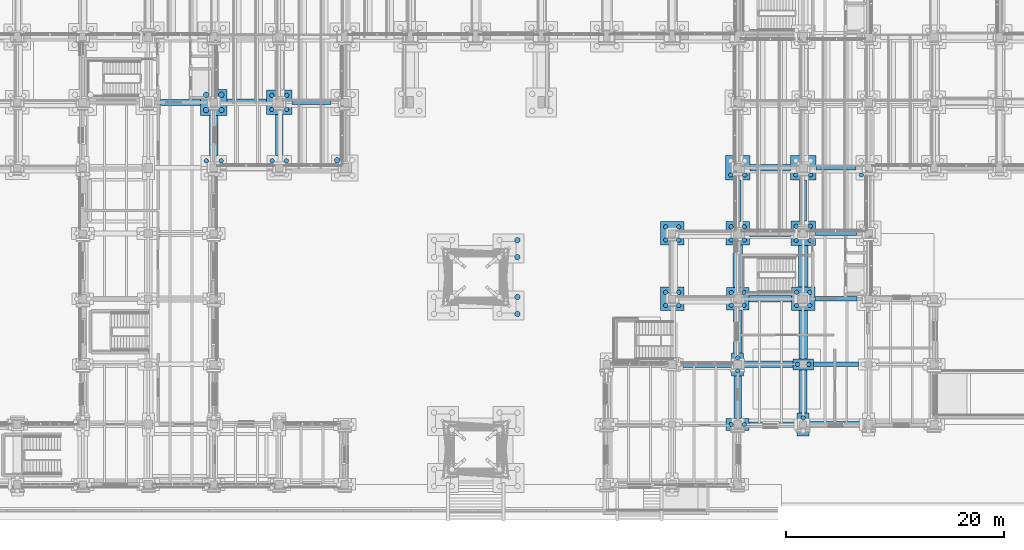
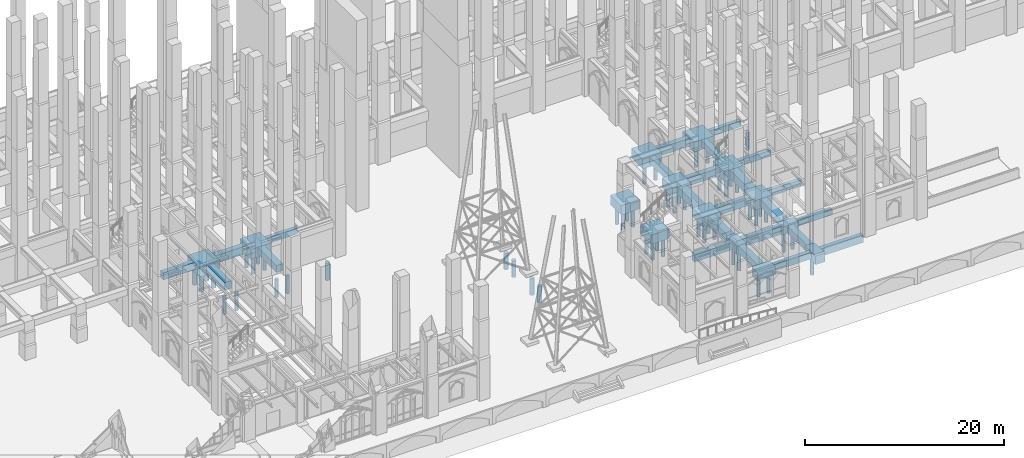
# One storey, part 8 of 135: 53 piles, 38 footings.
"""IFC4 building model written with IfcOpenShell, lengths in metres."""

from ifc_helpers import new_model, si_unit, direction, frame, origin, origin_2d, place, context, subcontext, project, spatial, polyline, rectangle, circle, outline, extrude, material, material_profile, profile_set, type_object, element, save


model = new_model("IFC4")

# Units and contexts
model_context = context("Model", 3, precision=1e-05, world=origin(), true_north=direction((0.0, 1.0)))
body_context = subcontext(model_context, "Body", "Model", "MODEL_VIEW")
ifc_project = project(units=[si_unit("LENGTHUNIT", "METRE"), si_unit("AREAUNIT", "SQUARE_METRE"), si_unit("VOLUMEUNIT", "CUBIC_METRE"), si_unit("PLANEANGLEUNIT", "RADIAN"), si_unit("MASSUNIT", "GRAM", prefix="KILO")], contexts=[model_context])

# Site, building, storey
site_placement = place(None, origin())
site = spatial("IfcSite", under=ifc_project, at=site_placement, CompositionType="ELEMENT")
building_placement = place(site_placement, origin())
building = spatial("IfcBuilding", under=site, at=building_placement, Name="Cumevento Cable Car Station", CompositionType="ELEMENT")
storey_placement = place(building_placement, origin())
storey = spatial("IfcBuildingStorey", under=building, at=storey_placement, Name="L01", CompositionType="ELEMENT", Elevation=0.0)

# Footings
ifc_material_1 = material(Name="Concrete C40/50", Category="concrete")
footing_type_1 = type_object("IfcFootingType", Name="Ground Beam GB-01 420x720", PredefinedType="FOOTING_BEAM", material=ifc_material_1)
footing_1_placement = place(storey_placement, frame((0.0, 0.0, -0.719970703125)))
element("IfcFooting", 1, at=footing_1_placement, inside=storey, type_object=footing_type_1, Name="Ground Tie Beam GB-01 #40", PredefinedType="FOOTING_BEAM", context=body_context, shape_type="SweptSolid", body=[
    extrude(outline(polyline([(124.951904296875, 14.7900390625), (129.048095703125, 14.7900390625), (129.048095703125, 15.2099609375), (124.951904296875, 15.2099609375), (124.951904296875, 14.7900390625)])), origin(), (0.0, 0.0, 1.0), 0.719970703125),
])
footing_2_placement = place(storey_placement, frame((0.0, 0.0, -0.719970703125)))
element("IfcFooting", 2, at=footing_2_placement, inside=storey, type_object=footing_type_1, Name="Ground Tie Beam GB-01 #48", PredefinedType="FOOTING_BEAM", context=body_context, shape_type="SweptSolid", body=[
    extrude(outline(polyline([(125.076904296875, 20.7900390625), (128.923095703125, 20.7900390625), (128.923095703125, 21.2099609375), (125.076904296875, 21.2099609375), (125.076904296875, 20.7900390625)])), origin(), (0.0, 0.0, 1.0), 0.719970703125),
])
footing_3_placement = place(storey_placement, frame((0.0, 0.0, -0.719970703125)))
element("IfcFooting", 3, at=footing_3_placement, inside=storey, type_object=footing_type_1, Name="Ground Tie Beam GB-01 #56", PredefinedType="FOOTING_BEAM", context=body_context, shape_type="SweptSolid", body=[
    extrude(outline(polyline([(125.126953125, 26.7900390625), (128.873046875, 26.7900390625), (128.873046875, 27.2099609375), (125.126953125, 27.2099609375), (125.126953125, 26.7900390625)])), origin(), (0.0, 0.0, 1.0), 0.719970703125),
])
footing_4_placement = place(storey_placement, frame((0.0, 0.0, -0.719970703125)))
element("IfcFooting", 4, at=footing_4_placement, inside=storey, type_object=footing_type_1, Name="Ground Tie Beam GB-01 #64", PredefinedType="FOOTING_BEAM", context=body_context, shape_type="SweptSolid", body=[
    extrude(outline(polyline([(125.177001953125, 32.7900390625), (128.822998046875, 32.7900390625), (128.822998046875, 33.2099609375), (125.177001953125, 33.2099609375), (125.177001953125, 32.7900390625)])), origin(), (0.0, 0.0, 1.0), 0.719970703125),
])
footing_5_placement = place(storey_placement, frame((0.0, 0.0, -0.719970703125)))
element("IfcFooting", 5, at=footing_5_placement, inside=storey, type_object=footing_type_1, Name="Ground Tie Beam GB-01 #76", PredefinedType="FOOTING_BEAM", context=body_context, shape_type="SweptSolid", body=[
    extrude(outline(polyline([(77.177001953125, 38.7900390625), (80.748046875, 38.7900390625), (80.748046875, 39.2099609375), (77.177001953125, 39.2099609375), (77.177001953125, 38.7900390625)])), origin(), (0.0, 0.0, 1.0), 0.719970703125),
])
ifc_material_2 = material(Name="Concrete C40/50", Category="concrete")
footing_type_2 = type_object("IfcFootingType", Name="Ground Beam GB-02 480x800", PredefinedType="FOOTING_BEAM", material=ifc_material_2)
footing_6_placement = place(storey_placement, frame((0.0, 0.0, -0.800048828125)))
element("IfcFooting", 6, at=footing_6_placement, inside=storey, type_object=footing_type_2, Name="Ground Tie Beam GB-02 #25", PredefinedType="FOOTING_BEAM", context=body_context, shape_type="SweptSolid", body=[
    extrude(outline(polyline([(119.052001953125, 9.260009765625), (123.447998046875, 9.260009765625), (123.447998046875, 9.739990234375), (119.052001953125, 9.739990234375), (119.052001953125, 9.260009765625)])), origin(), (0.0, 0.0, 1.0), 0.800048828125),
])
ifc_material_3 = material(Name="Concrete C40/50", Category="concrete")
footing_type_3 = type_object("IfcFootingType", Name="Ground Beam GB-03 540x880", PredefinedType="FOOTING_BEAM", material=ifc_material_3)
footing_7_placement = place(storey_placement, frame((0.0, 0.0, -0.8798828125)))
element("IfcFooting", 7, at=footing_7_placement, inside=storey, type_object=footing_type_3, Name="Ground Tie Beam GB-03 #26", PredefinedType="FOOTING_BEAM", context=body_context, shape_type="SweptSolid", body=[
    extrude(outline(polyline([(124.552001953125, 9.22998046875), (129.447998046875, 9.22998046875), (129.447998046875, 9.77001953125), (124.552001953125, 9.77001953125), (124.552001953125, 9.22998046875)])), origin(), (0.0, 0.0, 1.0), 0.8798828125),
])
footing_8_placement = place(storey_placement, frame((0.0, 0.0, -0.8798828125)))
element("IfcFooting", 8, at=footing_8_placement, inside=storey, type_object=footing_type_3, Name="Ground Tie Beam GB-03 #38", PredefinedType="FOOTING_BEAM", context=body_context, shape_type="SweptSolid", body=[
    extrude(outline(polyline([(113.001953125, 14.72998046875), (117.447998046875, 14.72998046875), (117.447998046875, 15.27001953125), (113.001953125, 15.27001953125), (113.001953125, 14.72998046875)])), origin(), (0.0, 0.0, 1.0), 0.8798828125),
])
footing_9_placement = place(storey_placement, frame((0.0, 0.0, -0.8798828125)))
element("IfcFooting", 9, at=footing_9_placement, inside=storey, type_object=footing_type_3, Name="Ground Tie Beam GB-03 #74", PredefinedType="FOOTING_BEAM", context=body_context, shape_type="SweptSolid", body=[
    extrude(outline(polyline([(65.126953125, 38.72998046875), (68.798095703125, 38.72998046875), (68.798095703125, 39.27001953125), (65.126953125, 39.27001953125), (65.126953125, 38.72998046875)])), origin(), (0.0, 0.0, 1.0), 0.8798828125),
])
ifc_material_4 = material(Name="Concrete C40/50", Category="concrete")
footing_type_4 = type_object("IfcFootingType", Name="Ground Beam GB-04 600x960", PredefinedType="FOOTING_BEAM", material=ifc_material_4)
footing_10_placement = place(storey_placement, frame((0.0, 0.0, -0.9599609375)))
element("IfcFooting", 10, at=footing_10_placement, inside=storey, type_object=footing_type_4, Name="Ground Tie Beam GB-04 #39", PredefinedType="FOOTING_BEAM", context=body_context, shape_type="SweptSolid", body=[
    extrude(outline(polyline([(118.552001953125, 14.699951171875), (123.048095703125, 14.699951171875), (123.048095703125, 15.300048828125), (118.552001953125, 15.300048828125), (118.552001953125, 14.699951171875)])), origin(), (0.0, 0.0, 1.0), 0.9599609375),
])
footing_11_placement = place(storey_placement, frame((0.0, 0.0, -0.9599609375)))
element("IfcFooting", 11, at=footing_11_placement, inside=storey, type_object=footing_type_4, Name="Ground Tie Beam GB-04 #47", PredefinedType="FOOTING_BEAM", context=body_context, shape_type="SweptSolid", body=[
    extrude(outline(polyline([(119.027099609375, 20.699951171875), (122.923095703125, 20.699951171875), (122.923095703125, 21.300048828125), (119.027099609375, 21.300048828125), (119.027099609375, 20.699951171875)])), origin(), (0.0, 0.0, 1.0), 0.9599609375),
])
footing_12_placement = place(storey_placement, frame((0.0, 0.0, -0.9599609375)))
element("IfcFooting", 12, at=footing_12_placement, inside=storey, type_object=footing_type_4, Name="Ground Tie Beam GB-04 #55", PredefinedType="FOOTING_BEAM", context=body_context, shape_type="SweptSolid", body=[
    extrude(outline(polyline([(119.076904296875, 26.699951171875), (122.873046875, 26.699951171875), (122.873046875, 27.300048828125), (119.076904296875, 27.300048828125), (119.076904296875, 26.699951171875)])), origin(), (0.0, 0.0, 1.0), 0.9599609375),
])
footing_13_placement = place(storey_placement, frame((0.0, 0.0, -0.9599609375)))
element("IfcFooting", 13, at=footing_13_placement, inside=storey, type_object=footing_type_4, Name="Ground Tie Beam GB-04 #63", PredefinedType="FOOTING_BEAM", context=body_context, shape_type="SweptSolid", body=[
    extrude(outline(polyline([(119.126953125, 32.699951171875), (122.822998046875, 32.699951171875), (122.822998046875, 33.300048828125), (119.126953125, 33.300048828125), (119.126953125, 32.699951171875)])), origin(), (0.0, 0.0, 1.0), 0.9599609375),
])
footing_14_placement = place(storey_placement, frame((0.0, 0.0, -0.9599609375)))
element("IfcFooting", 14, at=footing_14_placement, inside=storey, type_object=footing_type_4, Name="Ground Tie Beam GB-04 #75", PredefinedType="FOOTING_BEAM", context=body_context, shape_type="SweptSolid", body=[
    extrude(outline(polyline([(71.201904296875, 38.699951171875), (74.822998046875, 38.699951171875), (74.822998046875, 39.300048828125), (71.201904296875, 39.300048828125), (71.201904296875, 38.699951171875)])), origin(), (0.0, 0.0, 1.0), 0.9599609375),
])

# Piles
ifc_material_5 = material(Name="Concrete C40/50", Category="concrete")
ifc_material_profile_1 = material_profile(ifc_material_5, circle(Radius=0.199951171875, at=origin_2d()), Name="PILE-D400")
ifc_profile_set_1 = profile_set([ifc_material_profile_1], Name="Concrete C40/50")
pile_type_1 = type_object("IfcPileType", Name="PILE-BORED-400", PredefinedType="BORED", material=ifc_profile_set_1)
for number, where, z_axis, x_axis, name in (
    (15, (69.320068359375, 33.64990234375, -1.219970703125), (0.0, 0.0, -1.0), (1.0, 0.0, 0.0), "Bored Pile PL-400 #287"),
    (16, (70.679931640625, 33.64990234375, -1.219970703125), (0.0, 0.0, -1.0), (1.0, 0.0, 0.0), "Bored Pile PL-400 #288"),
):
    element("IfcPile", number, at=place(storey_placement, frame(where, z_axis=z_axis, x_axis=x_axis)), inside=storey, type_object=pile_type_1, Name=name, PredefinedType="BORED", context=body_context, shape_type="SweptSolid", body=[
        extrude(circle(Radius=0.199951171875, at=origin_2d()), origin(), (0.0, 0.0, 1.0), 2.179931640625),
    ])
for number, where, z_axis, x_axis, name in (
    (17, (75.35009765625, 33.64990234375, -1.199951171875), (0.0, 0.0, -1.0), (1.0, 0.0, 0.0), "Bored Pile PL-400 #319"),
    (18, (76.64990234375, 33.64990234375, -1.199951171875), (0.0, 0.0, -1.0), (1.0, 0.0, 0.0), "Bored Pile PL-400 #320"),
):
    element("IfcPile", number, at=place(storey_placement, frame(where, z_axis=z_axis, x_axis=x_axis)), inside=storey, type_object=pile_type_1, Name=name, PredefinedType="BORED", context=body_context, shape_type="SweptSolid", body=[
        extrude(circle(Radius=0.199951171875, at=origin_2d()), origin(), (0.0, 0.0, 1.0), 2.199951171875),
    ])
for number, where, z_axis, x_axis, name in (
    (19, (75.320068359375, 38.35009765625, -1.219970703125), (0.0, 0.0, -1.0), (1.0, 0.0, 0.0), "Bored Pile PL-400 #321"),
    (20, (76.679931640625, 38.35009765625, -1.219970703125), (0.0, 0.0, -1.0), (1.0, 0.0, 0.0), "Bored Pile PL-400 #322"),
    (21, (75.320068359375, 39.64990234375, -1.219970703125), (0.0, 0.0, -1.0), (1.0, 0.0, 0.0), "Bored Pile PL-400 #323"),
    (22, (76.679931640625, 39.64990234375, -1.219970703125), (0.0, 0.0, -1.0), (1.0, 0.0, 0.0), "Bored Pile PL-400 #324"),
):
    element("IfcPile", number, at=place(storey_placement, frame(where, z_axis=z_axis, x_axis=x_axis)), inside=storey, type_object=pile_type_1, Name=name, PredefinedType="BORED", context=body_context, shape_type="SweptSolid", body=[
        extrude(circle(Radius=0.199951171875, at=origin_2d()), origin(), (0.0, 0.0, 1.0), 2.179931640625),
    ])
for number, where, z_axis, x_axis, name in (
    (23, (117.39990234375, 9.5, -1.050048828125), (0.0, 0.0, -1.0), (1.0, 0.0, 0.0), "Bored Pile PL-400 #435"),
    (24, (118.60009765625, 9.5, -1.050048828125), (0.0, 0.0, -1.0), (1.0, 0.0, 0.0), "Bored Pile PL-400 #436"),
    (25, (118.0, 14.39990234375, -1.050048828125), (0.0, 0.0, -1.0), (1.0, 0.0, 0.0), "Bored Pile PL-400 #437"),
    (26, (118.0, 15.60009765625, -1.050048828125), (0.0, 0.0, -1.0), (1.0, 0.0, 0.0), "Bored Pile PL-400 #438"),
):
    element("IfcPile", number, at=place(storey_placement, frame(where, z_axis=z_axis, x_axis=x_axis)), inside=storey, type_object=pile_type_1, Name=name, PredefinedType="BORED", context=body_context, shape_type="SweptSolid", body=[
        extrude(circle(Radius=0.199951171875, at=origin_2d()), origin(), (0.0, 0.0, 1.0), 2.35009765625),
    ])
for number, where, z_axis, x_axis, name in (
    (27, (117.419921875, 20.419921875, -1.10009765625), (0.0, 0.0, -1.0), (1.0, 0.0, 0.0), "Bored Pile PL-400 #439"),
    (28, (118.580078125, 20.419921875, -1.10009765625), (0.0, 0.0, -1.0), (1.0, 0.0, 0.0), "Bored Pile PL-400 #440"),
    (29, (117.419921875, 21.580078125, -1.10009765625), (0.0, 0.0, -1.0), (1.0, 0.0, 0.0), "Bored Pile PL-400 #441"),
    (30, (118.580078125, 21.580078125, -1.10009765625), (0.0, 0.0, -1.0), (1.0, 0.0, 0.0), "Bored Pile PL-400 #442"),
):
    element("IfcPile", number, at=place(storey_placement, frame(where, z_axis=z_axis, x_axis=x_axis)), inside=storey, type_object=pile_type_1, Name=name, PredefinedType="BORED", context=body_context, shape_type="SweptSolid", body=[
        extrude(circle(Radius=0.199951171875, at=origin_2d()), origin(), (0.0, 0.0, 1.0), 2.300048828125),
    ])
for number, where, z_axis, x_axis, name in (
    (31, (117.39990234375, 26.39990234375, -1.14990234375), (0.0, 0.0, -1.0), (1.0, 0.0, 0.0), "Bored Pile PL-400 #443"),
    (32, (118.60009765625, 26.39990234375, -1.14990234375), (0.0, 0.0, -1.0), (1.0, 0.0, 0.0), "Bored Pile PL-400 #444"),
    (33, (117.39990234375, 27.60009765625, -1.14990234375), (0.0, 0.0, -1.0), (1.0, 0.0, 0.0), "Bored Pile PL-400 #445"),
    (34, (118.60009765625, 27.60009765625, -1.14990234375), (0.0, 0.0, -1.0), (1.0, 0.0, 0.0), "Bored Pile PL-400 #446"),
):
    element("IfcPile", number, at=place(storey_placement, frame(where, z_axis=z_axis, x_axis=x_axis)), inside=storey, type_object=pile_type_1, Name=name, PredefinedType="BORED", context=body_context, shape_type="SweptSolid", body=[
        extrude(circle(Radius=0.199951171875, at=origin_2d()), origin(), (0.0, 0.0, 1.0), 2.25),
    ])
for number, where, z_axis, x_axis, name in (
    (35, (117.35009765625, 32.35009765625, -1.199951171875), (0.0, 0.0, -1.0), (1.0, 0.0, 0.0), "Bored Pile PL-400 #447"),
    (36, (118.64990234375, 32.35009765625, -1.199951171875), (0.0, 0.0, -1.0), (1.0, 0.0, 0.0), "Bored Pile PL-400 #448"),
):
    element("IfcPile", number, at=place(storey_placement, frame(where, z_axis=z_axis, x_axis=x_axis)), inside=storey, type_object=pile_type_1, Name=name, PredefinedType="BORED", context=body_context, shape_type="SweptSolid", body=[
        extrude(circle(Radius=0.199951171875, at=origin_2d()), origin(), (0.0, 0.0, 1.0), 2.199951171875),
    ])
pile_placement = place(storey_placement, frame((124.0, 10.10009765625, -1.050048828125), z_axis=(0.0, 0.0, -1.0), x_axis=(1.0, 0.0, 0.0)))
element("IfcPile", 37, at=pile_placement, inside=storey, type_object=pile_type_1, Name="Bored Pile PL-400 #468", PredefinedType="BORED", context=body_context, shape_type="SweptSolid", body=[
    extrude(circle(Radius=0.199951171875, at=origin_2d()), origin(), (0.0, 0.0, 1.0), 2.35009765625),
])
for number, where, z_axis, x_axis, name in (
    (38, (123.47998046875, 15.0, -0.949951171875), (0.0, 0.0, -1.0), (1.0, 0.0, 0.0), "Bored Pile PL-400 #469"),
    (39, (124.52001953125, 15.0, -0.949951171875), (0.0, 0.0, -1.0), (1.0, 0.0, 0.0), "Bored Pile PL-400 #470"),
):
    element("IfcPile", number, at=place(storey_placement, frame(where, z_axis=z_axis, x_axis=x_axis)), inside=storey, type_object=pile_type_1, Name=name, PredefinedType="BORED", context=body_context, shape_type="SweptSolid", body=[
        extrude(circle(Radius=0.199951171875, at=origin_2d()), origin(), (0.0, 0.0, 1.0), 2.449951171875),
    ])
for number, where, z_axis, x_axis, name in (
    (40, (123.39990234375, 20.39990234375, -1.14990234375), (0.0, 0.0, -1.0), (1.0, 0.0, 0.0), "Bored Pile PL-400 #471"),
    (41, (124.60009765625, 20.39990234375, -1.14990234375), (0.0, 0.0, -1.0), (1.0, 0.0, 0.0), "Bored Pile PL-400 #472"),
    (42, (123.39990234375, 21.60009765625, -1.14990234375), (0.0, 0.0, -1.0), (1.0, 0.0, 0.0), "Bored Pile PL-400 #473"),
    (43, (124.60009765625, 21.60009765625, -1.14990234375), (0.0, 0.0, -1.0), (1.0, 0.0, 0.0), "Bored Pile PL-400 #474"),
):
    element("IfcPile", number, at=place(storey_placement, frame(where, z_axis=z_axis, x_axis=x_axis)), inside=storey, type_object=pile_type_1, Name=name, PredefinedType="BORED", context=body_context, shape_type="SweptSolid", body=[
        extrude(circle(Radius=0.199951171875, at=origin_2d()), origin(), (0.0, 0.0, 1.0), 2.25),
    ])
for number, where, z_axis, x_axis, name in (
    (44, (123.35009765625, 26.35009765625, -1.199951171875), (0.0, 0.0, -1.0), (1.0, 0.0, 0.0), "Bored Pile PL-400 #475"),
    (45, (124.64990234375, 26.35009765625, -1.199951171875), (0.0, 0.0, -1.0), (1.0, 0.0, 0.0), "Bored Pile PL-400 #476"),
    (46, (123.35009765625, 27.64990234375, -1.199951171875), (0.0, 0.0, -1.0), (1.0, 0.0, 0.0), "Bored Pile PL-400 #477"),
    (47, (124.64990234375, 27.64990234375, -1.199951171875), (0.0, 0.0, -1.0), (1.0, 0.0, 0.0), "Bored Pile PL-400 #478"),
):
    element("IfcPile", number, at=place(storey_placement, frame(where, z_axis=z_axis, x_axis=x_axis)), inside=storey, type_object=pile_type_1, Name=name, PredefinedType="BORED", context=body_context, shape_type="SweptSolid", body=[
        extrude(circle(Radius=0.199951171875, at=origin_2d()), origin(), (0.0, 0.0, 1.0), 2.199951171875),
    ])
for number, where, z_axis, x_axis, name in (
    (48, (123.320068359375, 32.35009765625, -1.219970703125), (0.0, 0.0, -1.0), (1.0, 0.0, 0.0), "Bored Pile PL-400 #479"),
    (49, (124.679931640625, 32.35009765625, -1.219970703125), (0.0, 0.0, -1.0), (1.0, 0.0, 0.0), "Bored Pile PL-400 #480"),
    (50, (129.320068359375, 32.35009765625, -1.219970703125), (0.0, 0.0, -1.0), (1.0, 0.0, 0.0), "Bored Pile PL-400 #507"),
):
    element("IfcPile", number, at=place(storey_placement, frame(where, z_axis=z_axis, x_axis=x_axis)), inside=storey, type_object=pile_type_1, Name=name, PredefinedType="BORED", context=body_context, shape_type="SweptSolid", body=[
        extrude(circle(Radius=0.199951171875, at=origin_2d()), origin(), (0.0, 0.0, 1.0), 2.179931640625),
    ])
for number, where, z_axis, x_axis, name in (
    (51, (111.39990234375, 20.39990234375, -1.14990234375), (0.0, 0.0, -1.0), (1.0, 0.0, 0.0), "Bored Pile PL-400 Ext #41"),
    (52, (112.60009765625, 20.39990234375, -1.14990234375), (0.0, 0.0, -1.0), (1.0, 0.0, 0.0), "Bored Pile PL-400 Ext #42"),
    (53, (111.39990234375, 21.60009765625, -1.14990234375), (0.0, 0.0, -1.0), (1.0, 0.0, 0.0), "Bored Pile PL-400 Ext #43"),
    (54, (112.60009765625, 21.60009765625, -1.14990234375), (0.0, 0.0, -1.0), (1.0, 0.0, 0.0), "Bored Pile PL-400 Ext #44"),
    (55, (111.39990234375, 26.39990234375, -1.14990234375), (0.0, 0.0, -1.0), (1.0, 0.0, 0.0), "Bored Pile PL-400 Ext #45"),
    (56, (112.60009765625, 26.39990234375, -1.14990234375), (0.0, 0.0, -1.0), (1.0, 0.0, 0.0), "Bored Pile PL-400 Ext #46"),
    (57, (111.39990234375, 27.60009765625, -1.14990234375), (0.0, 0.0, -1.0), (1.0, 0.0, 0.0), "Bored Pile PL-400 Ext #47"),
    (58, (112.60009765625, 27.60009765625, -1.14990234375), (0.0, 0.0, -1.0), (1.0, 0.0, 0.0), "Bored Pile PL-400 Ext #48"),
):
    element("IfcPile", number, at=place(storey_placement, frame(where, z_axis=z_axis, x_axis=x_axis)), inside=storey, type_object=pile_type_1, Name=name, PredefinedType="BORED", context=body_context, shape_type="SweptSolid", body=[
        extrude(circle(Radius=0.199951171875, at=origin_2d()), origin(), (0.0, 0.0, 1.0), 2.25),
    ])
ifc_material_6 = material(Name="Concrete C40/50", Category="concrete")
ifc_material_profile_2 = material_profile(ifc_material_6, circle(Radius=0.25, at=origin_2d()), Name="PILE-D500")
ifc_profile_set_2 = profile_set([ifc_material_profile_2], Name="Concrete C40/50")
pile_type_2 = type_object("IfcPileType", Name="PILE-BORED-500", PredefinedType="BORED", material=ifc_profile_set_2)
for number, where, z_axis, x_axis, name in (
    (59, (69.300048828125, 38.300048828125, -1.25), (0.0, 0.0, -1.0), (1.0, 0.0, 0.0), "Bored Pile PL-500 #289"),
    (60, (70.699951171875, 38.300048828125, -1.25), (0.0, 0.0, -1.0), (1.0, 0.0, 0.0), "Bored Pile PL-500 #290"),
    (61, (69.300048828125, 39.699951171875, -1.25), (0.0, 0.0, -1.0), (1.0, 0.0, 0.0), "Bored Pile PL-500 #291"),
    (62, (70.699951171875, 39.699951171875, -1.25), (0.0, 0.0, -1.0), (1.0, 0.0, 0.0), "Bored Pile PL-500 #292"),
    (63, (81.300048828125, 33.699951171875, -1.25), (0.0, 0.0, -1.0), (1.0, 0.0, 0.0), "Bored Pile PL-500 #343"),
):
    element("IfcPile", number, at=place(storey_placement, frame(where, z_axis=z_axis, x_axis=x_axis)), inside=storey, type_object=pile_type_2, Name=name, PredefinedType="BORED", context=body_context, shape_type="SweptSolid", body=[
        extrude(circle(Radius=0.25, at=origin_2d()), origin(), (0.0, 0.0, 1.0), 2.14990234375),
    ])
for number, where, z_axis, x_axis, name in (
    (64, (97.820068359375, 19.6201171875, -1.3798828125), (0.0, 0.0, -1.0), (1.0, 0.0, 0.0), "Bored Pile PL-500 Ext #74"),
    (65, (97.820068359375, 21.179931640625, -1.3798828125), (0.0, 0.0, -1.0), (1.0, 0.0, 0.0), "Bored Pile PL-500 Ext #76"),
    (66, (97.820068359375, 24.820068359375, -1.3798828125), (0.0, 0.0, -1.0), (1.0, 0.0, 0.0), "Bored Pile PL-500 Ext #78"),
    (67, (97.820068359375, 26.3798828125, -1.3798828125), (0.0, 0.0, -1.0), (1.0, 0.0, 0.0), "Bored Pile PL-500 Ext #80"),
):
    element("IfcPile", number, at=place(storey_placement, frame(where, z_axis=z_axis, x_axis=x_axis)), inside=storey, type_object=pile_type_2, Name=name, PredefinedType="BORED", context=body_context, shape_type="SweptSolid", body=[
        extrude(circle(Radius=0.25, at=origin_2d()), origin(), (0.0, 0.0, 1.0), 2.02001953125),
    ])

# Footings
ifc_material_7 = material(Name="Concrete C40/50", Category="concrete")
footing_type_5 = type_object("IfcFootingType", Name="Pile Cap PC-01 1900x1000x950", PredefinedType="PILE_CAP", material=ifc_material_7)
footing_15_placement = place(storey_placement, frame((124.0, 15.0, -0.9501953125), z_axis=(0.0, 0.0, 1.0), x_axis=(1.0, 0.0, 0.0)))
element("IfcFooting", 68, at=footing_15_placement, inside=storey, type_object=footing_type_5, Name="Pile Cap PC-01 at (124.0,15.0)", PredefinedType="PILE_CAP", context=body_context, shape_type="SweptSolid", body=[
    extrude(rectangle(XDim=1.89990234375, YDim=1.0, at=origin_2d()), origin(), (0.0, 0.0, 1.0), 0.949951171875),
])
ifc_material_8 = material(Name="Concrete C40/50", Category="concrete")
footing_type_6 = type_object("IfcFootingType", Name="Pile Cap PC-03 2100x1100x1050", PredefinedType="PILE_CAP", material=ifc_material_8)
footing_16_placement = place(storey_placement, frame((118.0, 9.5, -1.0498046875), z_axis=(0.0, 0.0, 1.0), x_axis=(1.0, 0.0, 0.0)))
element("IfcFooting", 69, at=footing_16_placement, inside=storey, type_object=footing_type_6, Name="Pile Cap PC-03 at (118.0,9.5)", PredefinedType="PILE_CAP", context=body_context, shape_type="SweptSolid", body=[
    extrude(rectangle(XDim=2.10009765625, YDim=1.10009765625, at=origin_2d()), origin(), (0.0, 0.0, 1.0), 1.050048828125),
])
ifc_material_9 = material(Name="Concrete C40/50", Category="concrete")
footing_type_7 = type_object("IfcFootingType", Name="Pile Cap PC-04 1100x2100x1050", PredefinedType="PILE_CAP", material=ifc_material_9)
for number, where, z_axis, x_axis, name in (
    (70, (118.0, 15.0, -1.0498046875), (0.0, 0.0, 1.0), (1.0, 0.0, 0.0), "Pile Cap PC-04 at (118.0,15.0)"),
    (71, (124.0, 9.5, -1.0498046875), (0.0, 0.0, 1.0), (1.0, 0.0, 0.0), "Pile Cap PC-04 at (124.0,9.5)"),
):
    element("IfcFooting", number, at=place(storey_placement, frame(where, z_axis=z_axis, x_axis=x_axis)), inside=storey, type_object=footing_type_7, Name=name, PredefinedType="PILE_CAP", context=body_context, shape_type="SweptSolid", body=[
        extrude(rectangle(XDim=1.10009765625, YDim=2.10009765625, at=origin_2d()), origin(), (0.0, 0.0, 1.0), 1.050048828125),
    ])
ifc_material_10 = material(Name="Concrete C40/50", Category="concrete")
footing_type_8 = type_object("IfcFootingType", Name="Pile Cap PC-05 2050x2050x1100", PredefinedType="PILE_CAP", material=ifc_material_10)
footing_17_placement = place(storey_placement, frame((118.0, 21.0, -1.10009765625), z_axis=(0.0, 0.0, 1.0), x_axis=(1.0, 0.0, 0.0)))
element("IfcFooting", 72, at=footing_17_placement, inside=storey, type_object=footing_type_8, Name="Pile Cap PC-05 at (118.0,21.0)", PredefinedType="PILE_CAP", context=body_context, shape_type="SweptSolid", body=[
    extrude(rectangle(XDim=2.050048828125, YDim=2.050048828125, at=origin_2d()), origin(), (0.0, 0.0, 1.0), 1.10009765625),
])
ifc_material_11 = material(Name="Concrete C40/50", Category="concrete")
footing_type_9 = type_object("IfcFootingType", Name="Pile Cap PC-06 2150x2150x1150", PredefinedType="PILE_CAP", material=ifc_material_11)
for number, where, z_axis, x_axis, name in (
    (73, (118.0, 27.0, -1.14990234375), (0.0, 0.0, 1.0), (1.0, 0.0, 0.0), "Pile Cap PC-06 at (118.0,27.0)"),
    (74, (124.0, 21.0, -1.14990234375), (0.0, 0.0, 1.0), (1.0, 0.0, 0.0), "Pile Cap PC-06 at (124.0,21.0)"),
    (75, (112.0, 21.0, -1.14990234375), (0.0, 0.0, 1.0), (1.0, 0.0, 0.0), "Pile Cap PC-06 at (112.0,21.0)"),
    (76, (112.0, 27.0, -1.14990234375), (0.0, 0.0, 1.0), (1.0, 0.0, 0.0), "Pile Cap PC-06 at (112.0,27.0)"),
):
    element("IfcFooting", number, at=place(storey_placement, frame(where, z_axis=z_axis, x_axis=x_axis)), inside=storey, type_object=footing_type_9, Name=name, PredefinedType="PILE_CAP", context=body_context, shape_type="SweptSolid", body=[
        extrude(rectangle(XDim=2.14990234375, YDim=2.14990234375, at=origin_2d()), origin(), (0.0, 0.0, 1.0), 1.14990234375),
    ])
ifc_material_12 = material(Name="Concrete C40/50", Category="concrete")
footing_type_10 = type_object("IfcFootingType", Name="Pile Cap PC-07 2250x2250x1200", PredefinedType="PILE_CAP", material=ifc_material_12)
for number, where, z_axis, x_axis, name in (
    (77, (118.0, 33.0, -1.2001953125), (0.0, 0.0, 1.0), (1.0, 0.0, 0.0), "Pile Cap PC-07 at (118.0,33.0)"),
    (78, (124.0, 27.0, -1.2001953125), (0.0, 0.0, 1.0), (1.0, 0.0, 0.0), "Pile Cap PC-07 at (124.0,27.0)"),
):
    element("IfcFooting", number, at=place(storey_placement, frame(where, z_axis=z_axis, x_axis=x_axis)), inside=storey, type_object=footing_type_10, Name=name, PredefinedType="PILE_CAP", context=body_context, shape_type="SweptSolid", body=[
        extrude(rectangle(XDim=2.25, YDim=2.25, at=origin_2d()), origin(), (0.0, 0.0, 1.0), 1.199951171875),
    ])
ifc_material_13 = material(Name="Concrete C40/50", Category="concrete")
footing_type_11 = type_object("IfcFootingType", Name="Pile Cap PC-08 2350x2250x1220", PredefinedType="PILE_CAP", material=ifc_material_13)
for number, where, z_axis, x_axis, name in (
    (79, (76.0, 39.0, -1.22021484375), (0.0, 0.0, 1.0), (1.0, 0.0, 0.0), "Pile Cap PC-08 at (76.0,39.0)"),
    (80, (124.0, 33.0, -1.22021484375), (0.0, 0.0, 1.0), (1.0, 0.0, 0.0), "Pile Cap PC-08 at (124.0,33.0)"),
):
    element("IfcFooting", number, at=place(storey_placement, frame(where, z_axis=z_axis, x_axis=x_axis)), inside=storey, type_object=footing_type_11, Name=name, PredefinedType="PILE_CAP", context=body_context, shape_type="SweptSolid", body=[
        extrude(rectangle(XDim=2.35009765625, YDim=2.25, at=origin_2d()), origin(), (0.0, 0.0, 1.0), 1.219970703125),
    ])
ifc_material_14 = material(Name="Concrete C40/50", Category="concrete")
footing_type_12 = type_object("IfcFootingType", Name="Pile Cap PC-09 2400x2400x1250", PredefinedType="PILE_CAP", material=ifc_material_14)
footing_18_placement = place(storey_placement, frame((70.0, 39.0, -1.25), z_axis=(0.0, 0.0, 1.0), x_axis=(1.0, 0.0, 0.0)))
element("IfcFooting", 81, at=footing_18_placement, inside=storey, type_object=footing_type_12, Name="Pile Cap PC-09 at (70.0,39.0)", PredefinedType="PILE_CAP", context=body_context, shape_type="SweptSolid", body=[
    extrude(rectangle(XDim=2.39990234375, YDim=2.39990234375, at=origin_2d()), origin(), (0.0, 0.0, 1.0), 1.25),
])
ifc_material_15 = material(Name="Concrete C40/50", Category="concrete")
footing_type_13 = type_object("IfcFootingType", Name="Strip Footing SF-01 640x780", PredefinedType="STRIP_FOOTING", material=ifc_material_15)
footing_19_placement = place(storey_placement, frame((0.0, 0.0, -0.780029296875)))
element("IfcFooting", 82, at=footing_19_placement, inside=storey, type_object=footing_type_13, Name="Strip Footing SF-01 #268", PredefinedType="STRIP_FOOTING", context=body_context, shape_type="SweptSolid", body=[
    extrude(outline(polyline([(117.679931640625, 28.076904296875), (118.320068359375, 28.076904296875), (118.320068359375, 31.873046875), (117.679931640625, 31.873046875), (117.679931640625, 28.076904296875)])), origin(), (0.0, 0.0, 1.0), 0.780029296875),
])
footing_20_placement = place(storey_placement, frame((0.0, 0.0, -0.780029296875)))
element("IfcFooting", 83, at=footing_20_placement, inside=storey, type_object=footing_type_13, Name="Strip Footing SF-01 #276", PredefinedType="STRIP_FOOTING", context=body_context, shape_type="SweptSolid", body=[
    extrude(outline(polyline([(123.679931640625, 28.126953125), (124.320068359375, 28.126953125), (124.320068359375, 31.873046875), (123.679931640625, 31.873046875), (123.679931640625, 28.126953125)])), origin(), (0.0, 0.0, 1.0), 0.780029296875),
])
ifc_material_16 = material(Name="Concrete C40/50", Category="concrete")
footing_type_14 = type_object("IfcFootingType", Name="Strip Footing SF-02 720x860", PredefinedType="STRIP_FOOTING", material=ifc_material_16)
footing_21_placement = place(storey_placement, frame((0.0, 0.0, -0.860107421875)))
element("IfcFooting", 84, at=footing_21_placement, inside=storey, type_object=footing_type_14, Name="Strip Footing SF-02 #241", PredefinedType="STRIP_FOOTING", context=body_context, shape_type="SweptSolid", body=[
    extrude(outline(polyline([(75.639892578125, 34.126953125), (76.360107421875, 34.126953125), (76.360107421875, 37.873046875), (75.639892578125, 37.873046875), (75.639892578125, 34.126953125)])), origin(), (0.0, 0.0, 1.0), 0.860107421875),
])
footing_22_placement = place(storey_placement, frame((0.0, 0.0, -0.860107421875)))
element("IfcFooting", 85, at=footing_22_placement, inside=storey, type_object=footing_type_14, Name="Strip Footing SF-02 #265", PredefinedType="STRIP_FOOTING", context=body_context, shape_type="SweptSolid", body=[
    extrude(outline(polyline([(117.639892578125, 10.052001953125), (118.360107421875, 10.052001953125), (118.360107421875, 13.947998046875), (117.639892578125, 13.947998046875), (117.639892578125, 10.052001953125)])), origin(), (0.0, 0.0, 1.0), 0.860107421875),
])
footing_23_placement = place(storey_placement, frame((0.0, 0.0, -0.860107421875)))
element("IfcFooting", 86, at=footing_23_placement, inside=storey, type_object=footing_type_14, Name="Strip Footing SF-02 #273", PredefinedType="STRIP_FOOTING", context=body_context, shape_type="SweptSolid", body=[
    extrude(outline(polyline([(123.639892578125, 10.552001953125), (124.360107421875, 10.552001953125), (124.360107421875, 14.498046875), (123.639892578125, 14.498046875), (123.639892578125, 10.552001953125)])), origin(), (0.0, 0.0, 1.0), 0.860107421875),
])
ifc_material_17 = material(Name="Concrete C40/50", Category="concrete")
footing_type_15 = type_object("IfcFootingType", Name="Strip Footing SF-03 800x940", PredefinedType="STRIP_FOOTING", material=ifc_material_17)
footing_24_placement = place(storey_placement, frame((0.0, 0.0, -0.93994140625)))
element("IfcFooting", 87, at=footing_24_placement, inside=storey, type_object=footing_type_15, Name="Strip Footing SF-03 #234", PredefinedType="STRIP_FOOTING", context=body_context, shape_type="SweptSolid", body=[
    extrude(outline(polyline([(69.60009765625, 34.126953125), (70.39990234375, 34.126953125), (70.39990234375, 37.798095703125), (69.60009765625, 37.798095703125), (69.60009765625, 34.126953125)])), origin(), (0.0, 0.0, 1.0), 0.93994140625),
])
footing_25_placement = place(storey_placement, frame((0.0, 0.0, -0.93994140625)))
element("IfcFooting", 88, at=footing_25_placement, inside=storey, type_object=footing_type_15, Name="Strip Footing SF-03 #266", PredefinedType="STRIP_FOOTING", context=body_context, shape_type="SweptSolid", body=[
    extrude(outline(polyline([(117.60009765625, 16.052001953125), (118.39990234375, 16.052001953125), (118.39990234375, 19.972900390625), (117.60009765625, 19.972900390625), (117.60009765625, 16.052001953125)])), origin(), (0.0, 0.0, 1.0), 0.93994140625),
])
footing_26_placement = place(storey_placement, frame((0.0, 0.0, -0.93994140625)))
element("IfcFooting", 89, at=footing_26_placement, inside=storey, type_object=footing_type_15, Name="Strip Footing SF-03 #274", PredefinedType="STRIP_FOOTING", context=body_context, shape_type="SweptSolid", body=[
    extrude(outline(polyline([(123.60009765625, 15.501953125), (124.39990234375, 15.501953125), (124.39990234375, 19.923095703125), (123.60009765625, 19.923095703125), (123.60009765625, 15.501953125)])), origin(), (0.0, 0.0, 1.0), 0.93994140625),
])
ifc_material_18 = material(Name="Concrete C40/50", Category="concrete")
footing_type_16 = type_object("IfcFootingType", Name="Strip Footing SF-04 880x1020", PredefinedType="STRIP_FOOTING", material=ifc_material_18)
footing_27_placement = place(storey_placement, frame((0.0, 0.0, -1.02001953125)))
element("IfcFooting", 90, at=footing_27_placement, inside=storey, type_object=footing_type_16, Name="Strip Footing SF-04 #267", PredefinedType="STRIP_FOOTING", context=body_context, shape_type="SweptSolid", body=[
    extrude(outline(polyline([(117.56005859375, 22.027099609375), (118.43994140625, 22.027099609375), (118.43994140625, 25.923095703125), (117.56005859375, 25.923095703125), (117.56005859375, 22.027099609375)])), origin(), (0.0, 0.0, 1.0), 1.02001953125),
])
footing_28_placement = place(storey_placement, frame((0.0, 0.0, -1.02001953125)))
element("IfcFooting", 91, at=footing_28_placement, inside=storey, type_object=footing_type_16, Name="Strip Footing SF-04 #275", PredefinedType="STRIP_FOOTING", context=body_context, shape_type="SweptSolid", body=[
    extrude(outline(polyline([(123.56005859375, 22.076904296875), (124.43994140625, 22.076904296875), (124.43994140625, 25.873046875), (123.56005859375, 25.873046875), (123.56005859375, 22.076904296875)])), origin(), (0.0, 0.0, 1.0), 1.02001953125),
])

save(model, "model.ifc")
